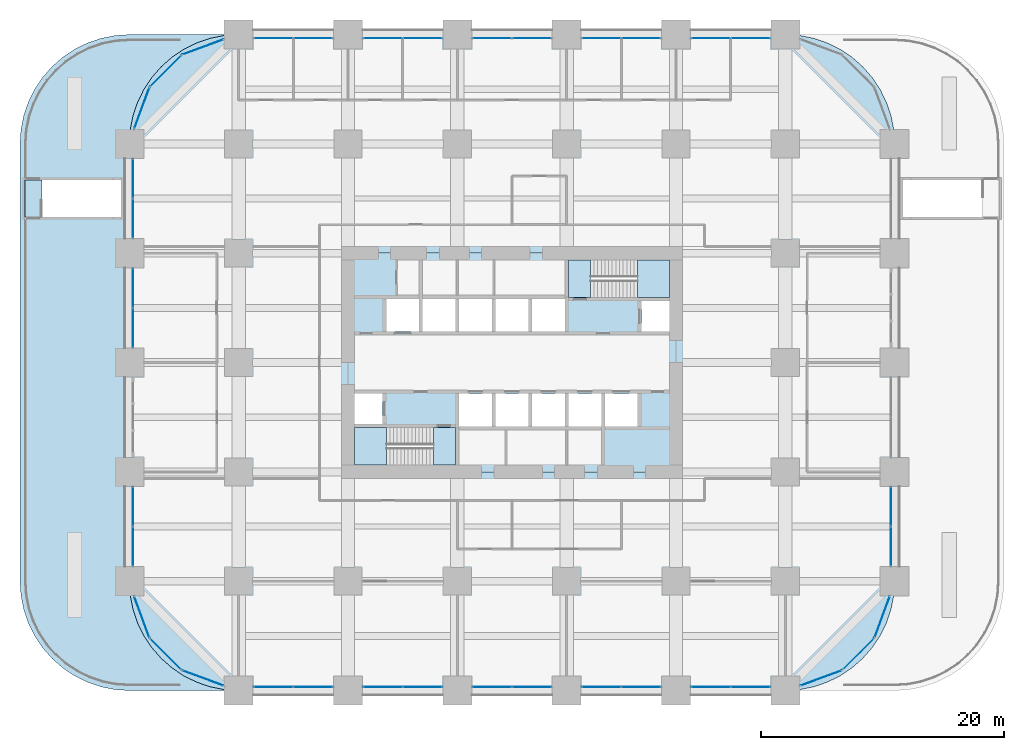
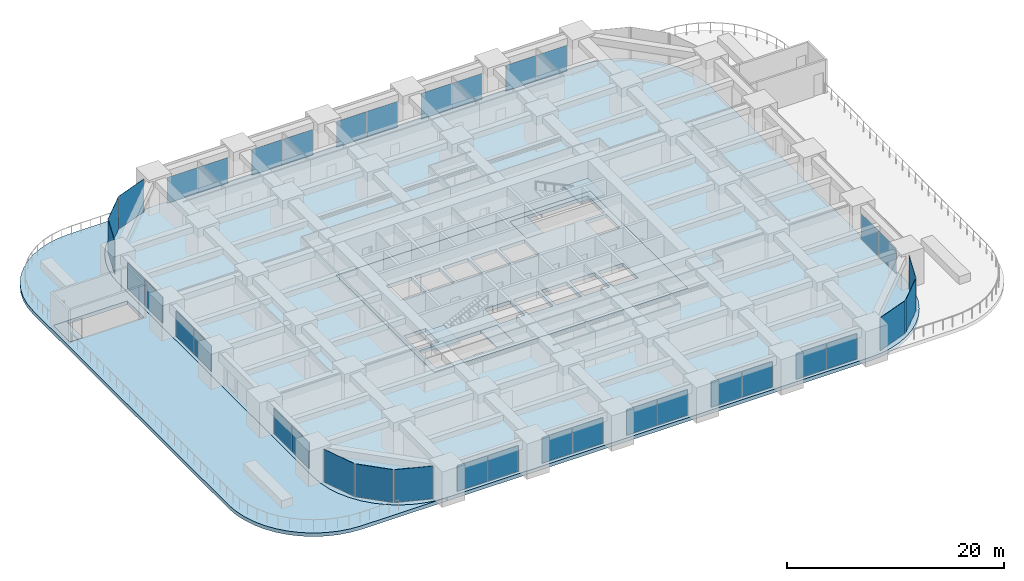
# One storey, part 30 of 38: 37 plates, 8 slabs, 25 elements without a shape of their own.
"""IFC4 building model written with IfcOpenShell, lengths in metres."""

from ifc_helpers import new_model, si_unit, direction, frame, origin, origin_2d, place, context, subcontext, project, spatial, polyline, rectangle, outline, extrude, material, layer, layer_set, type_object, element, aggregate, save


model = new_model("IFC4")

# Units and contexts
model_context = context("Model", 3, precision=1e-05, world=origin(), true_north=direction((0.0, 1.0)))
body_context = subcontext(model_context, "Body", "Model", "MODEL_VIEW")
ifc_project = project(units=[si_unit("LENGTHUNIT", "METRE"), si_unit("AREAUNIT", "SQUARE_METRE"), si_unit("VOLUMEUNIT", "CUBIC_METRE"), si_unit("PLANEANGLEUNIT", "RADIAN"), si_unit("MASSUNIT", "GRAM", prefix="KILO")], contexts=[model_context])

# Site, building, storey
site_placement = place(None, origin())
site = spatial("IfcSite", under=ifc_project, at=site_placement, CompositionType="ELEMENT")
building_placement = place(site_placement, origin())
building = spatial("IfcBuilding", under=site, at=building_placement, Name="Zorevar Civic Tower", CompositionType="ELEMENT")
storey_placement = place(building_placement, frame((0.0, 0.0, 15.800048828125)))
storey = spatial("IfcBuildingStorey", under=building, at=storey_placement, Name="L03", CompositionType="ELEMENT", Elevation=15.800048828125)

# Curtain wall, plates
ifc_material_1 = material(Name="Dark grey solar-control glass in black aluminium frame", Category="aluminium")
curtain_wall_type = type_object("IfcCurtainWallType", Name="Curtain wall CW2 low zone", PredefinedType="NOTDEFINED", material=ifc_material_1)
curtain_wall_1_placement = place(storey_placement, origin())
curtain_wall_1 = element("IfcCurtainWall", 1, at=curtain_wall_1_placement, inside=storey, type_object=curtain_wall_type, Name="CW2 L03", PredefinedType="NOTDEFINED")
ifc_material_2 = material(Name="Dark grey solar-control glass", Category="glass")
ifc_layer_1 = layer(ifc_material_2, 0.031982421875)
ifc_layer_set_1 = layer_set([ifc_layer_1], Name="CW2 panel 32")
plate_type = type_object("IfcPlateType", Name="CW2 panel 32", PredefinedType="CURTAIN_PANEL", material=ifc_layer_set_1)
plate_1_placement = place(storey_placement, frame((11.864990234375, 0.300048828125, 0.06005859375), z_axis=(0.0, 0.0, 1.0), x_axis=(1.0, 0.0, 0.0)))
plate_1 = element("IfcPlate", 2, at=plate_1_placement, type_object=plate_type, Name="CW2 panel 1.1", PredefinedType="CURTAIN_PANEL", context=body_context, shape_type="SweptSolid", body=[
    extrude(rectangle(XDim=3.2099609375, YDim=0.031982421875, at=origin_2d()), origin(), (0.0, 0.0, 1.0), 2.889892578125),
])
plate_2_placement = place(storey_placement, frame((15.135009765625, 0.300048828125, 0.06005859375), z_axis=(0.0, 0.0, 1.0), x_axis=(1.0, 0.0, 0.0)))
plate_2 = element("IfcPlate", 3, at=plate_2_placement, type_object=plate_type, Name="CW2 panel 2.1", PredefinedType="CURTAIN_PANEL", context=body_context, shape_type="SweptSolid", body=[
    extrude(rectangle(XDim=3.2099609375, YDim=0.031982421875, at=origin_2d()), origin(), (0.0, 0.0, 1.0), 2.889892578125),
])
aggregate(curtain_wall_1, [plate_1, plate_2])

curtain_wall_2_placement = place(storey_placement, origin())
curtain_wall_2 = element("IfcCurtainWall", 4, at=curtain_wall_2_placement, inside=storey, type_object=curtain_wall_type, Name="CW2 L03", PredefinedType="NOTDEFINED")
plate_3_placement = place(storey_placement, frame((11.864990234375, 53.699951171875, 0.06005859375), z_axis=(0.0, 0.0, 1.0), x_axis=(1.0, 0.0, 0.0)))
plate_3 = element("IfcPlate", 5, at=plate_3_placement, type_object=plate_type, Name="CW2 panel 1.1", PredefinedType="CURTAIN_PANEL", context=body_context, shape_type="SweptSolid", body=[
    extrude(rectangle(XDim=3.2099609375, YDim=0.031982421875, at=origin_2d()), origin(), (0.0, 0.0, 1.0), 2.889892578125),
])
plate_4_placement = place(storey_placement, frame((15.135009765625, 53.699951171875, 0.06005859375), z_axis=(0.0, 0.0, 1.0), x_axis=(1.0, 0.0, 0.0)))
plate_4 = element("IfcPlate", 6, at=plate_4_placement, type_object=plate_type, Name="CW2 panel 2.1", PredefinedType="CURTAIN_PANEL", context=body_context, shape_type="SweptSolid", body=[
    extrude(rectangle(XDim=3.2099609375, YDim=0.031982421875, at=origin_2d()), origin(), (0.0, 0.0, 1.0), 2.889892578125),
])
aggregate(curtain_wall_2, [plate_3, plate_4])

curtain_wall_3_placement = place(storey_placement, origin())
curtain_wall_3 = element("IfcCurtainWall", 7, at=curtain_wall_3_placement, inside=storey, type_object=curtain_wall_type, Name="CW2 L03", PredefinedType="NOTDEFINED")
plate_5_placement = place(storey_placement, frame((20.864990234375, 0.300048828125, 0.06005859375), z_axis=(0.0, 0.0, 1.0), x_axis=(1.0, 0.0, 0.0)))
plate_5 = element("IfcPlate", 8, at=plate_5_placement, type_object=plate_type, Name="CW2 panel 1.1", PredefinedType="CURTAIN_PANEL", context=body_context, shape_type="SweptSolid", body=[
    extrude(rectangle(XDim=3.2099609375, YDim=0.031982421875, at=origin_2d()), origin(), (0.0, 0.0, 1.0), 2.889892578125),
])
plate_6_placement = place(storey_placement, frame((24.135009765625, 0.300048828125, 0.06005859375), z_axis=(0.0, 0.0, 1.0), x_axis=(1.0, 0.0, 0.0)))
plate_6 = element("IfcPlate", 9, at=plate_6_placement, type_object=plate_type, Name="CW2 panel 2.1", PredefinedType="CURTAIN_PANEL", context=body_context, shape_type="SweptSolid", body=[
    extrude(rectangle(XDim=3.2099609375, YDim=0.031982421875, at=origin_2d()), origin(), (0.0, 0.0, 1.0), 2.889892578125),
])
aggregate(curtain_wall_3, [plate_5, plate_6])

curtain_wall_4_placement = place(storey_placement, origin())
curtain_wall_4 = element("IfcCurtainWall", 10, at=curtain_wall_4_placement, inside=storey, type_object=curtain_wall_type, Name="CW2 L03", PredefinedType="NOTDEFINED")
plate_7_placement = place(storey_placement, frame((20.864990234375, 53.699951171875, 0.06005859375), z_axis=(0.0, 0.0, 1.0), x_axis=(1.0, 0.0, 0.0)))
plate_7 = element("IfcPlate", 11, at=plate_7_placement, type_object=plate_type, Name="CW2 panel 1.1", PredefinedType="CURTAIN_PANEL", context=body_context, shape_type="SweptSolid", body=[
    extrude(rectangle(XDim=3.2099609375, YDim=0.031982421875, at=origin_2d()), origin(), (0.0, 0.0, 1.0), 2.889892578125),
])
plate_8_placement = place(storey_placement, frame((24.135009765625, 53.699951171875, 0.06005859375), z_axis=(0.0, 0.0, 1.0), x_axis=(1.0, 0.0, 0.0)))
plate_8 = element("IfcPlate", 12, at=plate_8_placement, type_object=plate_type, Name="CW2 panel 2.1", PredefinedType="CURTAIN_PANEL", context=body_context, shape_type="SweptSolid", body=[
    extrude(rectangle(XDim=3.2099609375, YDim=0.031982421875, at=origin_2d()), origin(), (0.0, 0.0, 1.0), 2.889892578125),
])
aggregate(curtain_wall_4, [plate_7, plate_8])

curtain_wall_5_placement = place(storey_placement, origin())
curtain_wall_5 = element("IfcCurtainWall", 13, at=curtain_wall_5_placement, inside=storey, type_object=curtain_wall_type, Name="CW2 L03", PredefinedType="NOTDEFINED")
plate_9_placement = place(storey_placement, frame((29.864990234375, 0.300048828125, 0.06005859375), z_axis=(0.0, 0.0, 1.0), x_axis=(1.0, 0.0, 0.0)))
plate_9 = element("IfcPlate", 14, at=plate_9_placement, type_object=plate_type, Name="CW2 panel 1.1", PredefinedType="CURTAIN_PANEL", context=body_context, shape_type="SweptSolid", body=[
    extrude(rectangle(XDim=3.2099609375, YDim=0.031982421875, at=origin_2d()), origin(), (0.0, 0.0, 1.0), 2.889892578125),
])
plate_10_placement = place(storey_placement, frame((33.135009765625, 0.300048828125, 0.06005859375), z_axis=(0.0, 0.0, 1.0), x_axis=(1.0, 0.0, 0.0)))
plate_10 = element("IfcPlate", 15, at=plate_10_placement, type_object=plate_type, Name="CW2 panel 2.1", PredefinedType="CURTAIN_PANEL", context=body_context, shape_type="SweptSolid", body=[
    extrude(rectangle(XDim=3.2099609375, YDim=0.031982421875, at=origin_2d()), origin(), (0.0, 0.0, 1.0), 2.889892578125),
])
aggregate(curtain_wall_5, [plate_9, plate_10])

curtain_wall_6_placement = place(storey_placement, origin())
curtain_wall_6 = element("IfcCurtainWall", 16, at=curtain_wall_6_placement, inside=storey, type_object=curtain_wall_type, Name="CW2 L03", PredefinedType="NOTDEFINED")
plate_11_placement = place(storey_placement, frame((29.864990234375, 53.699951171875, 0.06005859375), z_axis=(0.0, 0.0, 1.0), x_axis=(1.0, 0.0, 0.0)))
plate_11 = element("IfcPlate", 17, at=plate_11_placement, type_object=plate_type, Name="CW2 panel 1.1", PredefinedType="CURTAIN_PANEL", context=body_context, shape_type="SweptSolid", body=[
    extrude(rectangle(XDim=3.2099609375, YDim=0.031982421875, at=origin_2d()), origin(), (0.0, 0.0, 1.0), 2.889892578125),
])
plate_12_placement = place(storey_placement, frame((33.135009765625, 53.699951171875, 0.06005859375), z_axis=(0.0, 0.0, 1.0), x_axis=(1.0, 0.0, 0.0)))
plate_12 = element("IfcPlate", 18, at=plate_12_placement, type_object=plate_type, Name="CW2 panel 2.1", PredefinedType="CURTAIN_PANEL", context=body_context, shape_type="SweptSolid", body=[
    extrude(rectangle(XDim=3.2099609375, YDim=0.031982421875, at=origin_2d()), origin(), (0.0, 0.0, 1.0), 2.889892578125),
])
aggregate(curtain_wall_6, [plate_11, plate_12])

curtain_wall_7_placement = place(storey_placement, origin())
curtain_wall_7 = element("IfcCurtainWall", 19, at=curtain_wall_7_placement, inside=storey, type_object=curtain_wall_type, Name="CW2 L03", PredefinedType="NOTDEFINED")
plate_13_placement = place(storey_placement, frame((38.864990234375, 0.300048828125, 0.06005859375), z_axis=(0.0, 0.0, 1.0), x_axis=(1.0, 0.0, 0.0)))
plate_13 = element("IfcPlate", 20, at=plate_13_placement, type_object=plate_type, Name="CW2 panel 1.1", PredefinedType="CURTAIN_PANEL", context=body_context, shape_type="SweptSolid", body=[
    extrude(rectangle(XDim=3.2099609375, YDim=0.031982421875, at=origin_2d()), origin(), (0.0, 0.0, 1.0), 2.889892578125),
])
plate_14_placement = place(storey_placement, frame((42.135009765625, 0.300048828125, 0.06005859375), z_axis=(0.0, 0.0, 1.0), x_axis=(1.0, 0.0, 0.0)))
plate_14 = element("IfcPlate", 21, at=plate_14_placement, type_object=plate_type, Name="CW2 panel 2.1", PredefinedType="CURTAIN_PANEL", context=body_context, shape_type="SweptSolid", body=[
    extrude(rectangle(XDim=3.2099609375, YDim=0.031982421875, at=origin_2d()), origin(), (0.0, 0.0, 1.0), 2.889892578125),
])
aggregate(curtain_wall_7, [plate_13, plate_14])

curtain_wall_8_placement = place(storey_placement, origin())
curtain_wall_8 = element("IfcCurtainWall", 22, at=curtain_wall_8_placement, inside=storey, type_object=curtain_wall_type, Name="CW2 L03", PredefinedType="NOTDEFINED")
plate_15_placement = place(storey_placement, frame((38.864990234375, 53.699951171875, 0.06005859375), z_axis=(0.0, 0.0, 1.0), x_axis=(1.0, 0.0, 0.0)))
plate_15 = element("IfcPlate", 23, at=plate_15_placement, type_object=plate_type, Name="CW2 panel 1.1", PredefinedType="CURTAIN_PANEL", context=body_context, shape_type="SweptSolid", body=[
    extrude(rectangle(XDim=3.2099609375, YDim=0.031982421875, at=origin_2d()), origin(), (0.0, 0.0, 1.0), 2.889892578125),
])
plate_16_placement = place(storey_placement, frame((42.135009765625, 53.699951171875, 0.06005859375), z_axis=(0.0, 0.0, 1.0), x_axis=(1.0, 0.0, 0.0)))
plate_16 = element("IfcPlate", 24, at=plate_16_placement, type_object=plate_type, Name="CW2 panel 2.1", PredefinedType="CURTAIN_PANEL", context=body_context, shape_type="SweptSolid", body=[
    extrude(rectangle(XDim=3.2099609375, YDim=0.031982421875, at=origin_2d()), origin(), (0.0, 0.0, 1.0), 2.889892578125),
])
aggregate(curtain_wall_8, [plate_15, plate_16])

curtain_wall_9_placement = place(storey_placement, origin())
curtain_wall_9 = element("IfcCurtainWall", 25, at=curtain_wall_9_placement, inside=storey, type_object=curtain_wall_type, Name="CW2 L03", PredefinedType="NOTDEFINED")
plate_17_placement = place(storey_placement, frame((47.864990234375, 0.300048828125, 0.06005859375), z_axis=(0.0, 0.0, 1.0), x_axis=(1.0, 0.0, 0.0)))
plate_17 = element("IfcPlate", 26, at=plate_17_placement, type_object=plate_type, Name="CW2 panel 1.1", PredefinedType="CURTAIN_PANEL", context=body_context, shape_type="SweptSolid", body=[
    extrude(rectangle(XDim=3.2099609375, YDim=0.031982421875, at=origin_2d()), origin(), (0.0, 0.0, 1.0), 2.889892578125),
])
plate_18_placement = place(storey_placement, frame((51.135009765625, 0.300048828125, 0.06005859375), z_axis=(0.0, 0.0, 1.0), x_axis=(1.0, 0.0, 0.0)))
plate_18 = element("IfcPlate", 27, at=plate_18_placement, type_object=plate_type, Name="CW2 panel 2.1", PredefinedType="CURTAIN_PANEL", context=body_context, shape_type="SweptSolid", body=[
    extrude(rectangle(XDim=3.2099609375, YDim=0.031982421875, at=origin_2d()), origin(), (0.0, 0.0, 1.0), 2.889892578125),
])
aggregate(curtain_wall_9, [plate_17, plate_18])

curtain_wall_10_placement = place(storey_placement, origin())
curtain_wall_10 = element("IfcCurtainWall", 28, at=curtain_wall_10_placement, inside=storey, type_object=curtain_wall_type, Name="CW2 L03", PredefinedType="NOTDEFINED")
plate_19_placement = place(storey_placement, frame((47.864990234375, 53.699951171875, 0.06005859375), z_axis=(0.0, 0.0, 1.0), x_axis=(1.0, 0.0, 0.0)))
plate_19 = element("IfcPlate", 29, at=plate_19_placement, type_object=plate_type, Name="CW2 panel 1.1", PredefinedType="CURTAIN_PANEL", context=body_context, shape_type="SweptSolid", body=[
    extrude(rectangle(XDim=3.2099609375, YDim=0.031982421875, at=origin_2d()), origin(), (0.0, 0.0, 1.0), 2.889892578125),
])
plate_20_placement = place(storey_placement, frame((51.135009765625, 53.699951171875, 0.06005859375), z_axis=(0.0, 0.0, 1.0), x_axis=(1.0, 0.0, 0.0)))
plate_20 = element("IfcPlate", 30, at=plate_20_placement, type_object=plate_type, Name="CW2 panel 2.1", PredefinedType="CURTAIN_PANEL", context=body_context, shape_type="SweptSolid", body=[
    extrude(rectangle(XDim=3.2099609375, YDim=0.031982421875, at=origin_2d()), origin(), (0.0, 0.0, 1.0), 2.889892578125),
])
aggregate(curtain_wall_10, [plate_19, plate_20])

curtain_wall_11_placement = place(storey_placement, origin())
curtain_wall_11 = element("IfcCurtainWall", 31, at=curtain_wall_11_placement, inside=storey, type_object=curtain_wall_type, Name="CW2 L03", PredefinedType="NOTDEFINED")
plate_21_placement = place(storey_placement, frame((0.300048828125, 11.864990234375, 0.06005859375), z_axis=(0.0, 0.0, 1.0), x_axis=(0.0, 1.0, 0.0)))
plate_21 = element("IfcPlate", 32, at=plate_21_placement, type_object=plate_type, Name="CW2 panel 1.1", PredefinedType="CURTAIN_PANEL", context=body_context, shape_type="SweptSolid", body=[
    extrude(rectangle(XDim=3.2099609375, YDim=0.031982421875, at=origin_2d()), origin(), (0.0, 0.0, 1.0), 2.889892578125),
])
plate_22_placement = place(storey_placement, frame((0.300048828125, 15.135009765625, 0.06005859375), z_axis=(0.0, 0.0, 1.0), x_axis=(0.0, 1.0, 0.0)))
plate_22 = element("IfcPlate", 33, at=plate_22_placement, type_object=plate_type, Name="CW2 panel 2.1", PredefinedType="CURTAIN_PANEL", context=body_context, shape_type="SweptSolid", body=[
    extrude(rectangle(XDim=3.2099609375, YDim=0.031982421875, at=origin_2d()), origin(), (0.0, 0.0, 1.0), 2.889892578125),
])
aggregate(curtain_wall_11, [plate_21, plate_22])

curtain_wall_12_placement = place(storey_placement, origin())
curtain_wall_12 = element("IfcCurtainWall", 34, at=curtain_wall_12_placement, inside=storey, type_object=curtain_wall_type, Name="CW2 L03", PredefinedType="NOTDEFINED")
plate_23_placement = place(storey_placement, frame((62.699951171875, 11.864990234375, 0.06005859375), z_axis=(0.0, 0.0, 1.0), x_axis=(0.0, 1.0, 0.0)))
plate_23 = element("IfcPlate", 35, at=plate_23_placement, type_object=plate_type, Name="CW2 panel 1.1", PredefinedType="CURTAIN_PANEL", context=body_context, shape_type="SweptSolid", body=[
    extrude(rectangle(XDim=3.2099609375, YDim=0.031982421875, at=origin_2d()), origin(), (0.0, 0.0, 1.0), 2.889892578125),
])
plate_24_placement = place(storey_placement, frame((62.699951171875, 15.135009765625, 0.06005859375), z_axis=(0.0, 0.0, 1.0), x_axis=(0.0, 1.0, 0.0)))
plate_24 = element("IfcPlate", 36, at=plate_24_placement, type_object=plate_type, Name="CW2 panel 2.1", PredefinedType="CURTAIN_PANEL", context=body_context, shape_type="SweptSolid", body=[
    extrude(rectangle(XDim=3.2099609375, YDim=0.031982421875, at=origin_2d()), origin(), (0.0, 0.0, 1.0), 2.889892578125),
])
aggregate(curtain_wall_12, [plate_23, plate_24])

curtain_wall_13_placement = place(storey_placement, origin())
curtain_wall_13 = element("IfcCurtainWall", 37, at=curtain_wall_13_placement, inside=storey, type_object=curtain_wall_type, Name="CW2 L03", PredefinedType="NOTDEFINED")
plate_25_placement = place(storey_placement, frame((0.300048828125, 29.864990234375, 0.06005859375), z_axis=(0.0, 0.0, 1.0), x_axis=(0.0, 1.0, 0.0)))
plate_25 = element("IfcPlate", 38, at=plate_25_placement, type_object=plate_type, Name="CW2 panel 1.1", PredefinedType="CURTAIN_PANEL", context=body_context, shape_type="SweptSolid", body=[
    extrude(rectangle(XDim=3.2099609375, YDim=0.031982421875, at=origin_2d()), origin(), (0.0, 0.0, 1.0), 2.889892578125),
])
plate_26_placement = place(storey_placement, frame((0.300048828125, 33.135009765625, 0.06005859375), z_axis=(0.0, 0.0, 1.0), x_axis=(0.0, 1.0, 0.0)))
plate_26 = element("IfcPlate", 39, at=plate_26_placement, type_object=plate_type, Name="CW2 panel 2.1", PredefinedType="CURTAIN_PANEL", context=body_context, shape_type="SweptSolid", body=[
    extrude(rectangle(XDim=3.2099609375, YDim=0.031982421875, at=origin_2d()), origin(), (0.0, 0.0, 1.0), 2.889892578125),
])
aggregate(curtain_wall_13, [plate_25, plate_26])

curtain_wall_14_placement = place(storey_placement, origin())
curtain_wall_14 = element("IfcCurtainWall", 40, at=curtain_wall_14_placement, inside=storey, type_object=curtain_wall_type, Name="CW2 L03", PredefinedType="NOTDEFINED")
plate_27_placement = place(storey_placement, frame((0.300048828125, 38.864990234375, 0.06005859375), z_axis=(0.0, 0.0, 1.0), x_axis=(0.0, 1.0, 0.0)))
plate_27 = element("IfcPlate", 41, at=plate_27_placement, type_object=plate_type, Name="CW2 panel 1.1", PredefinedType="CURTAIN_PANEL", context=body_context, shape_type="SweptSolid", body=[
    extrude(rectangle(XDim=3.2099609375, YDim=0.031982421875, at=origin_2d()), origin(), (0.0, 0.0, 1.0), 2.889892578125),
])
plate_28_placement = place(storey_placement, frame((0.300048828125, 42.135009765625, 0.06005859375), z_axis=(0.0, 0.0, 1.0), x_axis=(0.0, 1.0, 0.0)))
plate_28 = element("IfcPlate", 42, at=plate_28_placement, type_object=plate_type, Name="CW2 panel 2.1", PredefinedType="CURTAIN_PANEL", context=body_context, shape_type="SweptSolid", body=[
    extrude(rectangle(XDim=3.2099609375, YDim=0.031982421875, at=origin_2d()), origin(), (0.0, 0.0, 1.0), 2.889892578125),
])
aggregate(curtain_wall_14, [plate_27, plate_28])

# Curtain wall, plate
curtain_wall_15_placement = place(storey_placement, origin())
curtain_wall_15 = element("IfcCurtainWall", 43, at=curtain_wall_15_placement, inside=storey, type_object=curtain_wall_type, Name="CW2 L03", PredefinedType="NOTDEFINED")
plate_29_placement = place(storey_placement, frame((56.9462890625, 1.02880859375, 0.06005859375), z_axis=(0.0, 0.0, 1.0), x_axis=(0.937974588163, 0.346704012033, 0.0)))
plate_29 = element("IfcPlate", 44, at=plate_29_placement, type_object=plate_type, Name="CW2 panel 1.1", PredefinedType="CURTAIN_PANEL", context=body_context, shape_type="SweptSolid", body=[
    extrude(rectangle(XDim=3.603759765625, YDim=0.031982421875, at=origin_2d()), origin(), (0.0, 0.0, 1.0), 3.68994140625),
])
aggregate(curtain_wall_15, [plate_29])

curtain_wall_16_placement = place(storey_placement, origin())
curtain_wall_16 = element("IfcCurtainWall", 45, at=curtain_wall_16_placement, inside=storey, type_object=curtain_wall_type, Name="CW2 L03", PredefinedType="NOTDEFINED")
plate_30_placement = place(storey_placement, frame((60.00927734375, 2.99072265625, 0.06005859375), z_axis=(0.0, 0.0, 1.0), x_axis=(0.707106781187, 0.707106781187, 0.0)))
plate_30 = element("IfcPlate", 46, at=plate_30_placement, type_object=plate_type, Name="CW2 panel 1.1", PredefinedType="CURTAIN_PANEL", context=body_context, shape_type="SweptSolid", body=[
    extrude(rectangle(XDim=3.603759765625, YDim=0.031982421875, at=origin_2d()), origin(), (0.0, 0.0, 1.0), 3.68994140625),
])
aggregate(curtain_wall_16, [plate_30])

curtain_wall_17_placement = place(storey_placement, origin())
curtain_wall_17 = element("IfcCurtainWall", 47, at=curtain_wall_17_placement, inside=storey, type_object=curtain_wall_type, Name="CW2 L03", PredefinedType="NOTDEFINED")
plate_31_placement = place(storey_placement, frame((61.97119140625, 6.0537109375, 0.06005859375), z_axis=(0.0, 0.0, 1.0), x_axis=(0.346704012033, 0.937974588163, 0.0)))
plate_31 = element("IfcPlate", 48, at=plate_31_placement, type_object=plate_type, Name="CW2 panel 1.1", PredefinedType="CURTAIN_PANEL", context=body_context, shape_type="SweptSolid", body=[
    extrude(rectangle(XDim=3.603759765625, YDim=0.031982421875, at=origin_2d()), origin(), (0.0, 0.0, 1.0), 3.68994140625),
])
aggregate(curtain_wall_17, [plate_31])

curtain_wall_18_placement = place(storey_placement, origin())
curtain_wall_18 = element("IfcCurtainWall", 49, at=curtain_wall_18_placement, inside=storey, type_object=curtain_wall_type, Name="CW2 L03", PredefinedType="NOTDEFINED")
plate_32_placement = place(storey_placement, frame((6.0537109375, 52.97119140625, 0.06005859375), z_axis=(0.0, 0.0, 1.0), x_axis=(-0.937974588163, -0.346704012033, 0.0)))
plate_32 = element("IfcPlate", 50, at=plate_32_placement, type_object=plate_type, Name="CW2 panel 1.1", PredefinedType="CURTAIN_PANEL", context=body_context, shape_type="SweptSolid", body=[
    extrude(rectangle(XDim=3.603759765625, YDim=0.031982421875, at=origin_2d()), origin(), (0.0, 0.0, 1.0), 3.68994140625),
])
aggregate(curtain_wall_18, [plate_32])

curtain_wall_19_placement = place(storey_placement, origin())
curtain_wall_19 = element("IfcCurtainWall", 51, at=curtain_wall_19_placement, inside=storey, type_object=curtain_wall_type, Name="CW2 L03", PredefinedType="NOTDEFINED")
plate_33_placement = place(storey_placement, frame((2.99072265625, 51.00927734375, 0.06005859375), z_axis=(0.0, 0.0, 1.0), x_axis=(-0.707106781187, -0.707106781187, 0.0)))
plate_33 = element("IfcPlate", 52, at=plate_33_placement, type_object=plate_type, Name="CW2 panel 1.1", PredefinedType="CURTAIN_PANEL", context=body_context, shape_type="SweptSolid", body=[
    extrude(rectangle(XDim=3.603759765625, YDim=0.031982421875, at=origin_2d()), origin(), (0.0, 0.0, 1.0), 3.68994140625),
])
aggregate(curtain_wall_19, [plate_33])

curtain_wall_20_placement = place(storey_placement, origin())
curtain_wall_20 = element("IfcCurtainWall", 53, at=curtain_wall_20_placement, inside=storey, type_object=curtain_wall_type, Name="CW2 L03", PredefinedType="NOTDEFINED")
plate_34_placement = place(storey_placement, frame((1.02880859375, 47.9462890625, 0.06005859375), z_axis=(0.0, 0.0, 1.0), x_axis=(-0.346704012033, -0.937974588163, 0.0)))
plate_34 = element("IfcPlate", 54, at=plate_34_placement, type_object=plate_type, Name="CW2 panel 1.1", PredefinedType="CURTAIN_PANEL", context=body_context, shape_type="SweptSolid", body=[
    extrude(rectangle(XDim=3.603759765625, YDim=0.031982421875, at=origin_2d()), origin(), (0.0, 0.0, 1.0), 3.68994140625),
])
aggregate(curtain_wall_20, [plate_34])

curtain_wall_21_placement = place(storey_placement, origin())
curtain_wall_21 = element("IfcCurtainWall", 55, at=curtain_wall_21_placement, inside=storey, type_object=curtain_wall_type, Name="CW2 L03", PredefinedType="NOTDEFINED")
plate_35_placement = place(storey_placement, frame((1.02880859375, 6.0537109375, 0.06005859375), z_axis=(0.0, 0.0, 1.0), x_axis=(0.346704012033, -0.937974588163, 0.0)))
plate_35 = element("IfcPlate", 56, at=plate_35_placement, type_object=plate_type, Name="CW2 panel 1.1", PredefinedType="CURTAIN_PANEL", context=body_context, shape_type="SweptSolid", body=[
    extrude(rectangle(XDim=3.603759765625, YDim=0.031982421875, at=origin_2d()), origin(), (0.0, 0.0, 1.0), 3.68994140625),
])
aggregate(curtain_wall_21, [plate_35])

curtain_wall_22_placement = place(storey_placement, origin())
curtain_wall_22 = element("IfcCurtainWall", 57, at=curtain_wall_22_placement, inside=storey, type_object=curtain_wall_type, Name="CW2 L03", PredefinedType="NOTDEFINED")
plate_36_placement = place(storey_placement, frame((2.99072265625, 2.99072265625, 0.06005859375), z_axis=(0.0, 0.0, 1.0), x_axis=(0.707106781187, -0.707106781187, 0.0)))
plate_36 = element("IfcPlate", 58, at=plate_36_placement, type_object=plate_type, Name="CW2 panel 1.1", PredefinedType="CURTAIN_PANEL", context=body_context, shape_type="SweptSolid", body=[
    extrude(rectangle(XDim=3.603759765625, YDim=0.031982421875, at=origin_2d()), origin(), (0.0, 0.0, 1.0), 3.68994140625),
])
aggregate(curtain_wall_22, [plate_36])

curtain_wall_23_placement = place(storey_placement, origin())
curtain_wall_23 = element("IfcCurtainWall", 59, at=curtain_wall_23_placement, inside=storey, type_object=curtain_wall_type, Name="CW2 L03", PredefinedType="NOTDEFINED")
plate_37_placement = place(storey_placement, frame((6.0537109375, 1.02880859375, 0.06005859375), z_axis=(0.0, 0.0, 1.0), x_axis=(0.937974588163, -0.346704012033, 0.0)))
plate_37 = element("IfcPlate", 60, at=plate_37_placement, type_object=plate_type, Name="CW2 panel 1.1", PredefinedType="CURTAIN_PANEL", context=body_context, shape_type="SweptSolid", body=[
    extrude(rectangle(XDim=3.603759765625, YDim=0.031982421875, at=origin_2d()), origin(), (0.0, 0.0, 1.0), 3.68994140625),
])
aggregate(curtain_wall_23, [plate_37])

# Slabs
ifc_material_3 = material(Name="Concrete C40/50", Category="concrete")
ifc_layer_2 = layer(ifc_material_3, 0.39990234375)
ifc_layer_set_2 = layer_set([ifc_layer_2], Name="Floor slab 400")
slab_type_1 = type_object("IfcSlabType", Name="Floor slab 400", PredefinedType="FLOOR", material=ifc_layer_set_2)
slab_1_placement = place(storey_placement, frame((0.0, 0.0, -0.400146484375)))
element("IfcSlab", 61, at=slab_1_placement, inside=storey, type_object=slab_type_1, Name="Floor slab L03", PredefinedType="FLOOR", context=body_context, shape_type="SweptSolid", body=[
    extrude(outline(polyline([(54.0, 0.0), (55.1748046875, 0.076904296875), (56.329345703125, 0.306640625), (57.444091796875, 0.68505859375), (58.5, 1.205810546875), (59.478759765625, 1.85986328125), (60.364013671875, 2.635986328125), (61.14013671875, 3.521240234375), (61.794189453125, 4.5), (62.31494140625, 5.555908203125), (62.693359375, 6.670654296875), (62.923095703125, 7.8251953125), (63.0, 9.0), (63.0, 45.0), (62.923095703125, 46.1748046875), (62.693359375, 47.329345703125), (62.31494140625, 48.444091796875), (61.794189453125, 49.5), (61.14013671875, 50.478759765625), (60.364013671875, 51.364013671875), (59.478759765625, 52.14013671875), (58.5, 52.794189453125), (57.444091796875, 53.31494140625), (56.329345703125, 53.693359375), (55.1748046875, 53.923095703125), (54.0, 54.0), (9.0, 54.0), (7.8251953125, 53.923095703125), (6.670654296875, 53.693359375), (5.555908203125, 53.31494140625), (4.5, 52.794189453125), (3.521240234375, 52.14013671875), (2.635986328125, 51.364013671875), (1.85986328125, 50.478759765625), (1.205810546875, 49.5), (0.68505859375, 48.444091796875), (0.306640625, 47.329345703125), (0.076904296875, 46.1748046875), (0.0, 45.0), (0.0, 9.0), (0.076904296875, 7.8251953125), (0.306640625, 6.670654296875), (0.68505859375, 5.555908203125), (1.205810546875, 4.5), (1.85986328125, 3.521240234375), (2.635986328125, 2.635986328125), (3.521240234375, 1.85986328125), (4.5, 1.205810546875), (5.555908203125, 0.68505859375), (6.670654296875, 0.306640625), (7.8251953125, 0.076904296875), (9.0, 0.0), (54.0, 0.0)]), holes=[polyline([(18.0, 18.0), (45.0, 18.0), (45.0, 36.0), (18.0, 36.0), (18.0, 18.0)])]), origin(), (0.0, 0.0, 1.0), 0.400146484375),
])
slab_2_placement = place(storey_placement, frame((0.0, 0.0, -0.400146484375)))
element("IfcSlab", 62, at=slab_2_placement, inside=storey, type_object=slab_type_1, Name="Core floor L03", PredefinedType="FLOOR", context=body_context, shape_type="SweptSolid", body=[
    extrude(outline(polyline([(18.0, 18.0), (45.0, 18.0), (45.0, 36.0), (18.0, 36.0), (18.0, 18.0)]), holes=[polyline([(18.550048828125, 18.550048828125), (26.85009765625, 18.550048828125), (26.85009765625, 21.64990234375), (18.550048828125, 21.64990234375), (18.550048828125, 18.550048828125)]), polyline([(36.14990234375, 32.35009765625), (44.449951171875, 32.35009765625), (44.449951171875, 35.449951171875), (36.14990234375, 35.449951171875), (36.14990234375, 32.35009765625)]), polyline([(18.550048828125, 21.949951171875), (20.85009765625, 21.949951171875), (20.85009765625, 24.449951171875), (18.550048828125, 24.449951171875), (18.550048828125, 21.949951171875)]), polyline([(42.14990234375, 29.550048828125), (44.449951171875, 29.550048828125), (44.449951171875, 32.050048828125), (42.14990234375, 32.050048828125), (42.14990234375, 29.550048828125)]), polyline([(27.14990234375, 21.75), (29.85009765625, 21.75), (29.85009765625, 24.449951171875), (27.14990234375, 24.449951171875), (27.14990234375, 21.75)]), polyline([(33.14990234375, 29.550048828125), (35.85009765625, 29.550048828125), (35.85009765625, 32.25), (33.14990234375, 32.25), (33.14990234375, 29.550048828125)]), polyline([(30.14990234375, 21.75), (32.85009765625, 21.75), (32.85009765625, 24.449951171875), (30.14990234375, 24.449951171875), (30.14990234375, 21.75)]), polyline([(30.14990234375, 29.550048828125), (32.85009765625, 29.550048828125), (32.85009765625, 32.25), (30.14990234375, 32.25), (30.14990234375, 29.550048828125)]), polyline([(33.14990234375, 21.75), (35.85009765625, 21.75), (35.85009765625, 24.449951171875), (33.14990234375, 24.449951171875), (33.14990234375, 21.75)]), polyline([(27.14990234375, 29.550048828125), (29.85009765625, 29.550048828125), (29.85009765625, 32.25), (27.14990234375, 32.25), (27.14990234375, 29.550048828125)]), polyline([(36.14990234375, 21.75), (38.85009765625, 21.75), (38.85009765625, 24.449951171875), (36.14990234375, 24.449951171875), (36.14990234375, 21.75)]), polyline([(24.14990234375, 29.550048828125), (26.85009765625, 29.550048828125), (26.85009765625, 32.25), (24.14990234375, 32.25), (24.14990234375, 29.550048828125)]), polyline([(39.14990234375, 21.75), (41.85009765625, 21.75), (41.85009765625, 24.449951171875), (39.14990234375, 24.449951171875), (39.14990234375, 21.75)]), polyline([(21.14990234375, 29.550048828125), (23.85009765625, 29.550048828125), (23.85009765625, 32.25), (21.14990234375, 32.25), (21.14990234375, 29.550048828125)])]), origin(), (0.0, 0.0, 1.0), 0.400146484375),
])

# Stair, slabs
ifc_material_4 = material(Name="Precast concrete C40/50", Category="concrete")
stair_type = type_object("IfcStairType", Name="Stair ST 28R", PredefinedType="HALF_TURN_STAIR", material=ifc_material_4)
stair_1_placement = place(storey_placement, origin())
stair_1 = element("IfcStair", 63, at=stair_1_placement, inside=storey, type_object=stair_type, Name="Stair ST1 L03", PredefinedType="HALF_TURN_STAIR")
ifc_material_5 = material(Name="Concrete C40/50", Category="concrete")
ifc_layer_3 = layer(ifc_material_5, 0.199951171875)
ifc_layer_set_3 = layer_set([ifc_layer_3], Name="Stair landing 200")
slab_type_2 = type_object("IfcSlabType", Name="Stair landing 200", PredefinedType="LANDING", material=ifc_layer_set_3)
slab_3_placement = place(storey_placement, frame((0.0, 0.0, -0.199951171875)))
slab_3 = element("IfcSlab", 64, at=slab_3_placement, type_object=slab_type_2, Name="ST1 landing 1", PredefinedType="LANDING", context=body_context, shape_type="SweptSolid", body=[
    extrude(outline(polyline([(25.050048828125, 18.550048828125), (26.85009765625, 18.550048828125), (26.85009765625, 21.64990234375), (25.050048828125, 21.64990234375), (25.050048828125, 18.550048828125)])), origin(), (0.0, 0.0, 1.0), 0.199951171875),
])
slab_4_placement = place(storey_placement, frame((0.0, 0.0, 1.800048828125)))
slab_4 = element("IfcSlab", 65, at=slab_4_placement, type_object=slab_type_2, Name="ST1 landing 2", PredefinedType="LANDING", context=body_context, shape_type="SweptSolid", body=[
    extrude(outline(polyline([(18.550048828125, 18.550048828125), (21.14990234375, 18.550048828125), (21.14990234375, 21.64990234375), (18.550048828125, 21.64990234375), (18.550048828125, 18.550048828125)])), origin(), (0.0, 0.0, 1.0), 0.199951171875),
])
aggregate(stair_1, [slab_3, slab_4])

stair_2_placement = place(storey_placement, origin())
stair_2 = element("IfcStair", 66, at=stair_2_placement, inside=storey, type_object=stair_type, Name="Stair ST2 L03", PredefinedType="HALF_TURN_STAIR")
slab_5_placement = place(storey_placement, frame((0.0, 0.0, -0.199951171875)))
slab_5 = element("IfcSlab", 67, at=slab_5_placement, type_object=slab_type_2, Name="ST2 landing 1", PredefinedType="LANDING", context=body_context, shape_type="SweptSolid", body=[
    extrude(outline(polyline([(37.949951171875, 32.35009765625), (36.14990234375, 32.35009765625), (36.14990234375, 35.449951171875), (37.949951171875, 35.449951171875), (37.949951171875, 32.35009765625)])), origin(), (0.0, 0.0, 1.0), 0.199951171875),
])
slab_6_placement = place(storey_placement, frame((0.0, 0.0, 1.800048828125)))
slab_6 = element("IfcSlab", 68, at=slab_6_placement, type_object=slab_type_2, Name="ST2 landing 2", PredefinedType="LANDING", context=body_context, shape_type="SweptSolid", body=[
    extrude(outline(polyline([(44.449951171875, 32.35009765625), (41.85009765625, 32.35009765625), (41.85009765625, 35.449951171875), (44.449951171875, 35.449951171875), (44.449951171875, 32.35009765625)])), origin(), (0.0, 0.0, 1.0), 0.199951171875),
])
aggregate(stair_2, [slab_5, slab_6])

# Slabs
ifc_material_6 = material(Name="Concrete C40/50", Category="concrete")
ifc_layer_4 = layer(ifc_material_6, 0.39990234375)
ifc_layer_set_4 = layer_set([ifc_layer_4], Name="Stair landing 400")
slab_type_3 = type_object("IfcSlabType", Name="Stair landing 400", PredefinedType="LANDING", material=ifc_layer_set_4)
slab_7_placement = place(storey_placement, frame((0.0, 0.0, -0.400146484375)))
element("IfcSlab", 69, at=slab_7_placement, inside=storey, type_object=slab_type_3, Name="Stair PS1 floor landing L03", PredefinedType="LANDING", context=body_context, shape_type="SweptSolid", body=[
    extrude(outline(polyline([(-8.60009765625, 38.97509765625), (-7.199951171875, 38.97509765625), (-7.199951171875, 42.02490234375), (-8.60009765625, 42.02490234375), (-8.60009765625, 38.97509765625)])), origin(), (0.0, 0.0, 1.0), 0.400146484375),
])
ifc_material_7 = material(Name="Concrete C40/50", Category="concrete")
ifc_layer_5 = layer(ifc_material_7, 0.39990234375)
ifc_layer_set_5 = layer_set([ifc_layer_5], Name="Terrace slab 400")
slab_type_4 = type_object("IfcSlabType", Name="Terrace slab 400", PredefinedType="ROOF", material=ifc_layer_set_5)
slab_8_placement = place(storey_placement, frame((0.0, 0.0, -0.400146484375)))
element("IfcSlab", 70, at=slab_8_placement, inside=storey, type_object=slab_type_4, Name="Terrace slab L03", PredefinedType="ROOF", context=body_context, shape_type="SweptSolid", body=[
    extrude(outline(polyline([(0.0, 0.0), (-1.1748046875, 0.076904296875), (-2.329345703125, 0.306640625), (-3.444091796875, 0.68505859375), (-4.5, 1.205810546875), (-5.478759765625, 1.85986328125), (-6.364013671875, 2.635986328125), (-7.14013671875, 3.521240234375), (-7.794189453125, 4.5), (-8.31494140625, 5.555908203125), (-8.693359375, 6.670654296875), (-8.923095703125, 7.8251953125), (-9.0, 9.0), (-9.0, 45.0), (-8.923095703125, 46.1748046875), (-8.693359375, 47.329345703125), (-8.31494140625, 48.444091796875), (-7.794189453125, 49.5), (-7.14013671875, 50.478759765625), (-6.364013671875, 51.364013671875), (-5.478759765625, 52.14013671875), (-4.5, 52.794189453125), (-3.444091796875, 53.31494140625), (-2.329345703125, 53.693359375), (-1.1748046875, 53.923095703125), (0.0, 54.0), (9.0, 54.0), (7.8251953125, 53.923095703125), (6.670654296875, 53.693359375), (5.555908203125, 53.31494140625), (4.5, 52.794189453125), (3.521240234375, 52.14013671875), (2.635986328125, 51.364013671875), (1.85986328125, 50.478759765625), (1.205810546875, 49.5), (0.68505859375, 48.444091796875), (0.306640625, 47.329345703125), (0.076904296875, 46.1748046875), (0.0, 45.0), (0.0, 9.0), (0.076904296875, 7.8251953125), (0.306640625, 6.670654296875), (0.68505859375, 5.555908203125), (1.205810546875, 4.5), (1.85986328125, 3.521240234375), (2.635986328125, 2.635986328125), (3.521240234375, 1.85986328125), (4.5, 1.205810546875), (5.555908203125, 0.68505859375), (6.670654296875, 0.306640625), (7.8251953125, 0.076904296875), (9.0, 0.0), (0.0, 0.0)]), holes=[polyline([(-8.60009765625, 38.97509765625), (-0.699951171875, 38.97509765625), (-0.699951171875, 42.02490234375), (-8.60009765625, 42.02490234375), (-8.60009765625, 38.97509765625)])]), origin(), (0.0, 0.0, 1.0), 0.400146484375),
])

save(model, "model.ifc")
